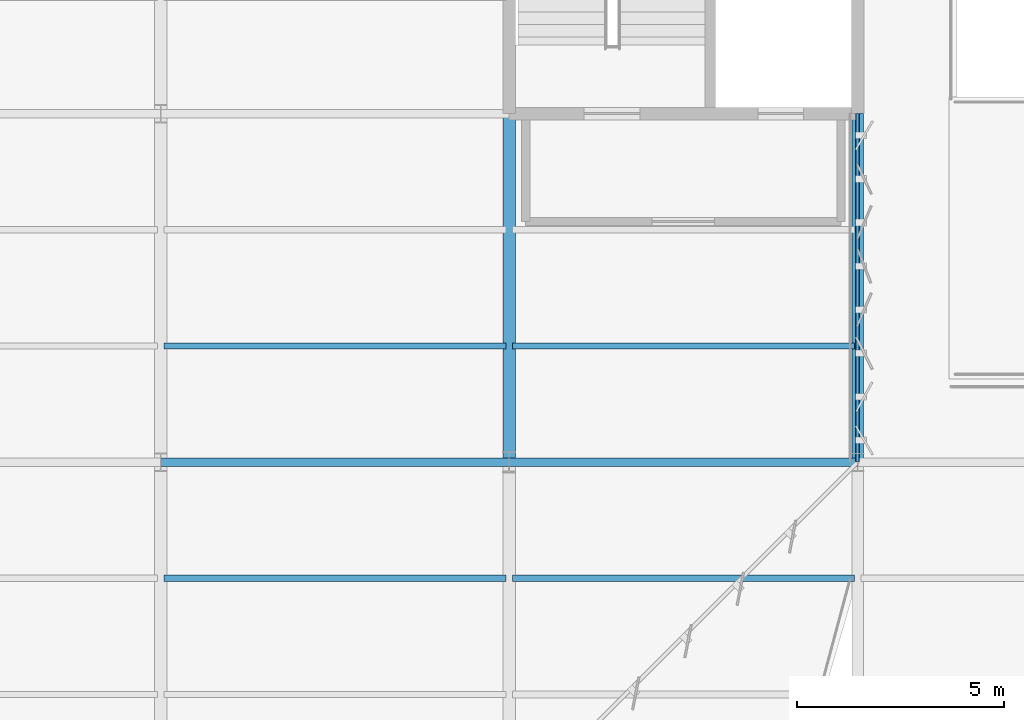
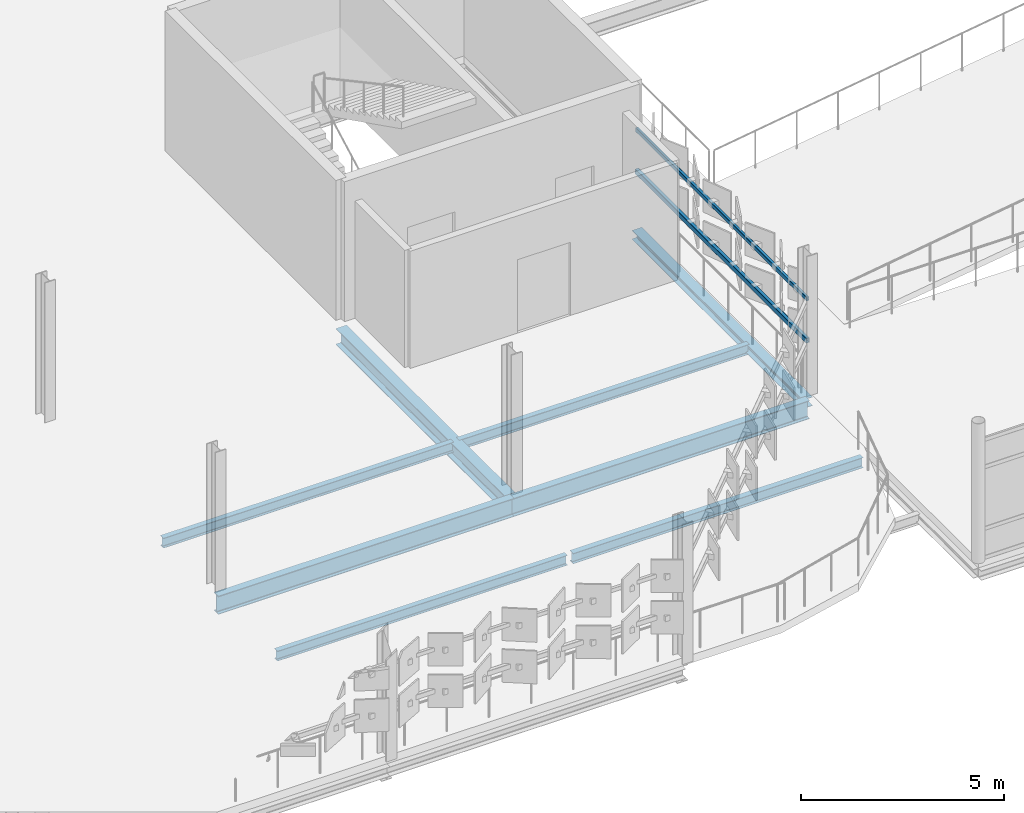
# One storey, part 31 of 69: 10 beams.
"""IFC4 building model written with IfcOpenShell, lengths in metres."""

from ifc_helpers import new_model, si_unit, direction, frame, origin, origin_2d, place, context, subcontext, project, spatial, hollow_rectangle, i_section, extrude, material, material_profile, profile_set, type_object, element, save


model = new_model("IFC4")

# Units and contexts
model_context = context("Model", 3, precision=1e-05, world=origin(), true_north=direction((0.0, 1.0)))
body_context = subcontext(model_context, "Body", "Model", "MODEL_VIEW")
ifc_project = project(units=[si_unit("LENGTHUNIT", "METRE"), si_unit("AREAUNIT", "SQUARE_METRE"), si_unit("VOLUMEUNIT", "CUBIC_METRE"), si_unit("PLANEANGLEUNIT", "RADIAN"), si_unit("MASSUNIT", "GRAM", prefix="KILO")], contexts=[model_context])

# Site, building, storey
site_placement = place(None, origin())
site = spatial("IfcSite", under=ifc_project, at=site_placement, CompositionType="ELEMENT")
building_placement = place(site_placement, origin())
building = spatial("IfcBuilding", under=site, at=building_placement, Name="Qalvenar Corner Mobility Hub", CompositionType="ELEMENT")
storey_placement = place(building_placement, frame((0.0, 0.0, 13.199951171875)))
storey = spatial("IfcBuildingStorey", under=building, at=storey_placement, Name="L03", CompositionType="ELEMENT", Elevation=13.199951171875)

# Beams
ifc_material = material(Name="Steel S355", Category="steel")
ifc_material_profile_1 = material_profile(ifc_material, i_section(OverallWidth=0.300048828125, OverallDepth=0.489990234375, WebThickness=0.011962890625, FlangeThickness=0.02294921875, FilletRadius=0.027099609375, at=origin_2d()), Name="HEA500")
ifc_profile_set_1 = profile_set([ifc_material_profile_1], Name="Steel S355")
beam_type_1 = type_object("IfcBeamType", Name="BM-HEA500", PredefinedType="BEAM", material=ifc_profile_set_1)
beam_1_placement = place(storey_placement, frame((134.39990234375, 75.60009765625, -0.48486328125), z_axis=(0.0, 1.0, 0.0), x_axis=(-1.0, 0.0, 0.0)))
element("IfcBeam", 1, at=beam_1_placement, inside=storey, type_object=beam_type_1, Name="Primary Steel Girder GY-2434", PredefinedType="BEAM", context=body_context, shape_type="SweptSolid", body=[
    extrude(i_section(OverallWidth=0.300048828125, OverallDepth=0.489990234375, WebThickness=0.011962890625, FlangeThickness=0.02294921875, FilletRadius=0.027099609375, at=origin_2d()), origin(), (0.0, 0.0, 1.0), 8.39990234375),
])
ifc_material_profile_2 = material_profile(ifc_material, i_section(OverallWidth=0.2099609375, OverallDepth=0.550048828125, WebThickness=0.010986328125, FlangeThickness=0.01708984375, FilletRadius=0.02392578125, at=origin_2d()), Name="IPE550")
ifc_profile_set_2 = profile_set([ifc_material_profile_2], Name="Steel S355")
beam_type_2 = type_object("IfcBeamType", Name="BM-IPE550", PredefinedType="BEAM", material=ifc_profile_set_2)
beam_2_placement = place(storey_placement, frame((126.0, 75.60009765625, -0.514892578125), z_axis=(1.0, 0.0, 0.0), x_axis=(0.0, 1.0, 0.0)))
element("IfcBeam", 2, at=beam_2_placement, inside=storey, type_object=beam_type_2, Name="Primary Steel Girder GX-2341", PredefinedType="BEAM", context=body_context, shape_type="SweptSolid", body=[
    extrude(i_section(OverallWidth=0.2099609375, OverallDepth=0.550048828125, WebThickness=0.010986328125, FlangeThickness=0.01708984375, FilletRadius=0.02392578125, at=origin_2d()), origin(), (0.0, 0.0, 1.0), 8.39990234375),
])
beam_3_placement = place(storey_placement, frame((134.39990234375, 75.60009765625, -0.514892578125), z_axis=(1.0, 0.0, 0.0), x_axis=(0.0, 1.0, 0.0)))
element("IfcBeam", 3, at=beam_3_placement, inside=storey, type_object=beam_type_2, Name="Primary Steel Girder GX-2342", PredefinedType="BEAM", context=body_context, shape_type="SweptSolid", body=[
    extrude(i_section(OverallWidth=0.2099609375, OverallDepth=0.550048828125, WebThickness=0.010986328125, FlangeThickness=0.01708984375, FilletRadius=0.02392578125, at=origin_2d()), origin(), (0.0, 0.0, 1.0), 8.400146484375),
])
ifc_material_profile_3 = material_profile(ifc_material, i_section(OverallWidth=0.14990234375, OverallDepth=0.300048828125, WebThickness=0.007080078125, FlangeThickness=0.0107421875, FilletRadius=0.014892578125, at=origin_2d()), Name="IPE300")
ifc_profile_set_3 = profile_set([ifc_material_profile_3], Name="Steel S355")
beam_type_3 = type_object("IfcBeamType", Name="BM-JST300", PredefinedType="JOIST", material=ifc_profile_set_3)
for number, where, z_axis, x_axis, name in (
    (4, (126.077880859375, 72.800048828125, -0.389892578125), (1.0, 0.0, 0.0), (0.0, 1.0, 0.0), "Composite Floor Joist J-2518"),
    (5, (126.077880859375, 78.39990234375, -0.389892578125), (1.0, 0.0, 0.0), (0.0, 1.0, 0.0), "Composite Floor Joist J-2519"),
):
    element("IfcBeam", number, at=place(storey_placement, frame(where, z_axis=z_axis, x_axis=x_axis)), inside=storey, type_object=beam_type_3, Name=name, PredefinedType="JOIST", context=body_context, shape_type="SweptSolid", body=[
        extrude(i_section(OverallWidth=0.14990234375, OverallDepth=0.300048828125, WebThickness=0.007080078125, FlangeThickness=0.0107421875, FilletRadius=0.014892578125, at=origin_2d()), origin(), (0.0, 0.0, 1.0), 8.244140625),
    ])
beam_4_placement = place(storey_placement, frame((134.47802734375, 78.39990234375, -0.389892578125), z_axis=(1.0, 0.0, 0.0), x_axis=(0.0, 1.0, 0.0)))
element("IfcBeam", 6, at=beam_4_placement, inside=storey, type_object=beam_type_3, Name="Composite Floor Joist J-2529", PredefinedType="JOIST", context=body_context, shape_type="SweptSolid", body=[
    extrude(i_section(OverallWidth=0.14990234375, OverallDepth=0.300048828125, WebThickness=0.007080078125, FlangeThickness=0.0107421875, FilletRadius=0.014892578125, at=origin_2d()), origin(), (0.0, 0.0, 1.0), 8.243896484375),
])
ifc_material_profile_4 = material_profile(ifc_material, i_section(OverallWidth=0.1650390625, OverallDepth=0.31005859375, WebThickness=0.005859375, FlangeThickness=0.009765625, FilletRadius=0.011962890625, at=origin_2d()), Name="W310x38.7")
ifc_profile_set_4 = profile_set([ifc_material_profile_4], Name="Steel S355")
beam_type_4 = type_object("IfcBeamType", Name="BM-JST310", PredefinedType="JOIST", material=ifc_profile_set_4)
beam_5_placement = place(storey_placement, frame((134.47802734375, 72.800048828125, -0.39501953125), z_axis=(1.0, 0.0, 0.0), x_axis=(0.0, 1.0, 0.0)))
element("IfcBeam", 7, at=beam_5_placement, inside=storey, type_object=beam_type_4, Name="Composite Floor Joist J-2568", PredefinedType="JOIST", context=body_context, shape_type="SweptSolid", body=[
    extrude(i_section(OverallWidth=0.1650390625, OverallDepth=0.31005859375, WebThickness=0.005859375, FlangeThickness=0.009765625, FilletRadius=0.011962890625, at=origin_2d()), origin(), (0.0, 0.0, 1.0), 8.243896484375),
])
ifc_material_profile_5 = material_profile(ifc_material, i_section(OverallWidth=0.280029296875, OverallDepth=0.27001953125, WebThickness=0.008056640625, FlangeThickness=0.012939453125, FilletRadius=0.02392578125, at=origin_2d()), Name="HEA280")
ifc_profile_set_5 = profile_set([ifc_material_profile_5], Name="Steel S355")
beam_type_5 = type_object("IfcBeamType", Name="BM-SPN280", PredefinedType="SPANDREL", material=ifc_profile_set_5)
beam_6_placement = place(storey_placement, frame((142.800048828125, 75.60009765625, -0.375), z_axis=(0.0, 1.0, 0.0), x_axis=(-1.0, 0.0, 0.0)))
element("IfcBeam", 8, at=beam_6_placement, inside=storey, type_object=beam_type_5, Name="Primary Steel Girder GY-2439", PredefinedType="SPANDREL", context=body_context, shape_type="SweptSolid", body=[
    extrude(i_section(OverallWidth=0.280029296875, OverallDepth=0.27001953125, WebThickness=0.008056640625, FlangeThickness=0.012939453125, FilletRadius=0.02392578125, at=origin_2d()), origin(), (0.0, 0.0, 1.0), 8.39990234375),
])
ifc_material_profile_6 = material_profile(ifc_material, hollow_rectangle(XDim=0.080078125, YDim=0.1201171875, WallThickness=0.0048828125, InnerFilletRadius=0.0048828125, OuterFilletRadius=0.010009765625, at=origin_2d()), Name="RHS120x80x5")
ifc_profile_set_6 = profile_set([ifc_material_profile_6], Name="Steel S355")
beam_type_6 = type_object("IfcBeamType", Name="FR-RAIL120", PredefinedType="SPANDREL", material=ifc_profile_set_6)
beam_7_placement = place(storey_placement, frame((142.800048828125, 75.60009765625, 2.75), z_axis=(0.0, 1.0, 0.0), x_axis=(-1.0, 0.0, 0.0)))
element("IfcBeam", 9, at=beam_7_placement, inside=storey, type_object=beam_type_6, Name="Facade Hinge Support Rail FR-L03-0136", PredefinedType="SPANDREL", context=body_context, shape_type="SweptSolid", body=[
    extrude(hollow_rectangle(XDim=0.080078125, YDim=0.1201171875, WallThickness=0.0048828125, InnerFilletRadius=0.0048828125, OuterFilletRadius=0.010009765625, at=origin_2d()), origin(), (0.0, 0.0, 1.0), 8.39990234375),
])
ifc_material_profile_7 = material_profile(ifc_material, hollow_rectangle(XDim=0.10009765625, YDim=0.14990234375, WallThickness=0.00634765625, InnerFilletRadius=0.00634765625, OuterFilletRadius=0.0126953125, at=origin_2d()), Name="RHS150x100x6.3")
ifc_profile_set_7 = profile_set([ifc_material_profile_7], Name="Steel S355")
beam_type_7 = type_object("IfcBeamType", Name="FR-RAIL150", PredefinedType="SPANDREL", material=ifc_profile_set_7)
beam_8_placement = place(storey_placement, frame((142.800048828125, 75.60009765625, 1.5), z_axis=(0.0, 1.0, 0.0), x_axis=(-1.0, 0.0, 0.0)))
element("IfcBeam", 10, at=beam_8_placement, inside=storey, type_object=beam_type_7, Name="Facade Hinge Support Rail FR-L03-0135", PredefinedType="SPANDREL", context=body_context, shape_type="SweptSolid", body=[
    extrude(hollow_rectangle(XDim=0.10009765625, YDim=0.14990234375, WallThickness=0.00634765625, InnerFilletRadius=0.00634765625, OuterFilletRadius=0.0126953125, at=origin_2d()), origin(), (0.0, 0.0, 1.0), 8.39990234375),
])

save(model, "model.ifc")
